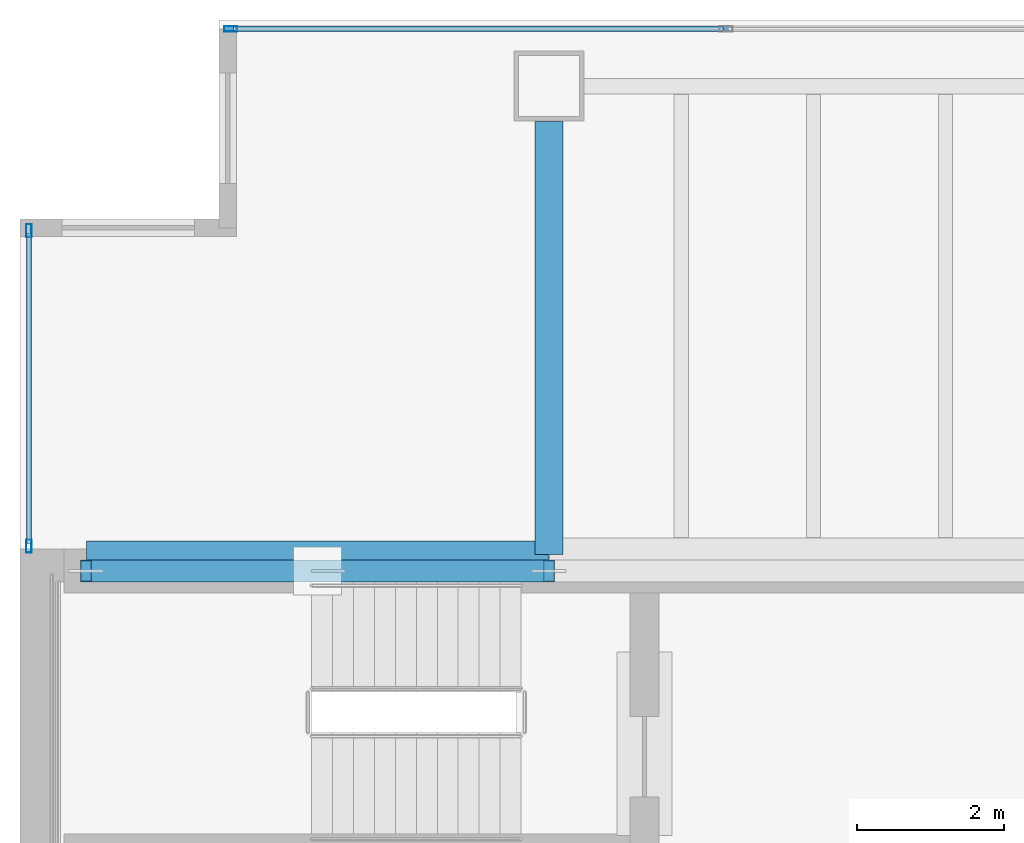
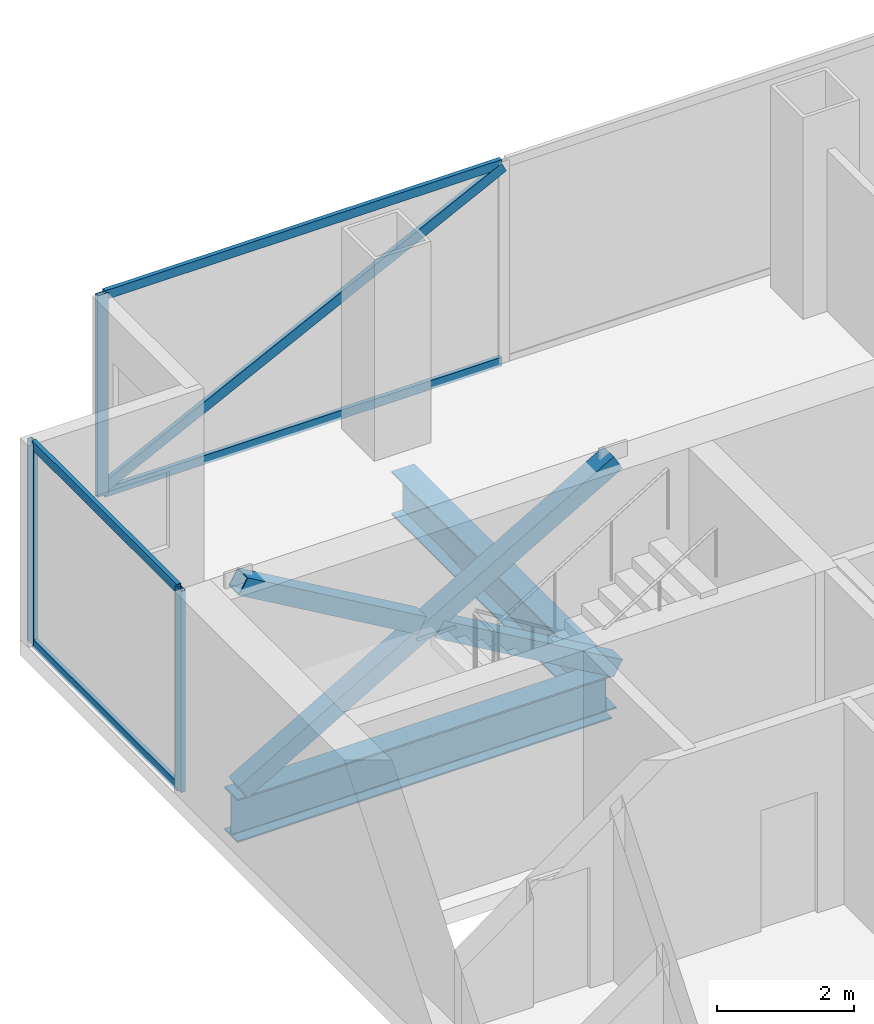
# One storey, part 16 of 23: 11 members, 2 beams, 2 elements without a shape of their own.
"""IFC4 building model written with IfcOpenShell, lengths in metres."""

from ifc_helpers import new_model, si_unit, direction, frame, origin, origin_2d, place, context, subcontext, project, spatial, hollow_rectangle, i_section, extrude, material, material_profile, profile_set, type_object, element, aggregate, save


model = new_model("IFC4")

# Units and contexts
model_context = context("Model", 3, precision=1e-05, world=origin(), true_north=direction((0.0, 1.0)))
body_context = subcontext(model_context, "Body", "Model", "MODEL_VIEW")
ifc_project = project(units=[si_unit("LENGTHUNIT", "METRE"), si_unit("AREAUNIT", "SQUARE_METRE"), si_unit("VOLUMEUNIT", "CUBIC_METRE"), si_unit("PLANEANGLEUNIT", "RADIAN"), si_unit("MASSUNIT", "GRAM", prefix="KILO")], contexts=[model_context])

# Site, building, storey
site_placement = place(None, origin())
site = spatial("IfcSite", under=ifc_project, at=site_placement, CompositionType="ELEMENT")
building_placement = place(site_placement, origin())
building = spatial("IfcBuilding", under=site, at=building_placement, Name="Cobrela Telecom Tower", CompositionType="ELEMENT")
storey_placement = place(building_placement, frame((0.0, 0.0, 113.75)))
storey = spatial("IfcBuildingStorey", under=building, at=storey_placement, Name="L28", CompositionType="ELEMENT", Elevation=113.75)

# Beams
ifc_material_1 = material(Name="Steel ASTM A992 Grade 50", Category="steel")
ifc_material_profile_1 = material_profile(ifc_material_1, i_section(OverallWidth=0.381103515625, OverallDepth=0.77197265625, WebThickness=0.0166015625, FlangeThickness=0.027099609375, FilletRadius=0.01904296875, at=origin_2d()), Name="W30X173")
ifc_profile_set_1 = profile_set([ifc_material_profile_1], Name="Steel ASTM A992 Grade 50")
beam_type = type_object("IfcBeamType", Name="BM-GIRD-04", PredefinedType="USERDEFINED", material=ifc_profile_set_1)
beam_1_placement = place(storey_placement, frame((0.905029296875, 35.919921875, -0.656005859375), z_axis=(1.0, 0.0, 0.0), x_axis=(0.0, 1.0, 0.0)))
element("IfcBeam", 1, at=beam_1_placement, inside=storey, type_object=beam_type, Name="L28 Primary Girder X25", ObjectType="GIRDER", PredefinedType="USERDEFINED", context=body_context, shape_type="SweptSolid", body=[
    extrude(i_section(OverallWidth=0.381103515625, OverallDepth=0.77197265625, WebThickness=0.0166015625, FlangeThickness=0.027099609375, FilletRadius=0.01904296875, at=origin_2d()), origin(), (0.0, 0.0, 1.0), 6.2900390625),
])
beam_2_placement = place(storey_placement, frame((7.199951171875, 35.925048828125, -0.656005859375), z_axis=(0.0, 1.0, 0.0), x_axis=(-1.0, 0.0, 0.0)))
element("IfcBeam", 2, at=beam_2_placement, inside=storey, type_object=beam_type, Name="L28 Primary Girder Y32", ObjectType="GIRDER", PredefinedType="USERDEFINED", context=body_context, shape_type="SweptSolid", body=[
    extrude(i_section(OverallWidth=0.381103515625, OverallDepth=0.77197265625, WebThickness=0.0166015625, FlangeThickness=0.027099609375, FilletRadius=0.01904296875, at=origin_2d()), origin(), (0.0, 0.0, 1.0), 5.89501953125),
])

# Curtain wall, members
ifc_material_2 = material(Name="Anodized Bronze Aluminium 6063-T6", Category="aluminium")
curtain_wall_type = type_object("IfcCurtainWallType", Name="CW-SYS-TEL", PredefinedType="USERDEFINED", material=ifc_material_2)
curtain_wall_1_placement = place(storey_placement, origin())
curtain_wall_1 = element("IfcCurtainWall", 3, at=curtain_wall_1_placement, inside=storey, type_object=curtain_wall_type, Name="L28 Unitised Bronze Curtain Wall 04", ObjectType="UNITISED CURTAIN WALL", PredefinedType="USERDEFINED")
ifc_material_profile_2 = material_profile(ifc_material_2, hollow_rectangle(XDim=0.074951171875, YDim=0.179931640625, WallThickness=0.00390625, at=origin_2d()), Name="ALU 75x180x4")
ifc_profile_set_2 = profile_set([ifc_material_profile_2], Name="Anodized Bronze Aluminium 6063-T6")
member_type_1 = type_object("IfcMemberType", Name="CW-SYS-TEL-MUL", PredefinedType="MULLION", material=ifc_profile_set_2)
member_1_placement = place(storey_placement, frame((0.1201171875, 36.03759765625, 0.0), z_axis=(0.0, 0.0, 1.0), x_axis=(-1.0, 0.0, 0.0)))
member_1 = element("IfcMember", 4, at=member_1_placement, type_object=member_type_1, Name="CW-TEL mullion 1", PredefinedType="MULLION", context=body_context, shape_type="SweptSolid", body=[
    extrude(hollow_rectangle(XDim=0.074951171875, YDim=0.179931640625, WallThickness=0.00390625, at=origin_2d()), origin(), (0.0, 0.0, 1.0), 3.580078125),
])
member_2_placement = place(storey_placement, frame((0.1201171875, 40.33251953125, 0.0), z_axis=(0.0, 0.0, 1.0), x_axis=(-1.0, 0.0, 0.0)))
member_2 = element("IfcMember", 5, at=member_2_placement, type_object=member_type_1, Name="CW-TEL mullion 2", PredefinedType="MULLION", context=body_context, shape_type="SweptSolid", body=[
    extrude(hollow_rectangle(XDim=0.074951171875, YDim=0.179931640625, WallThickness=0.00390625, at=origin_2d()), origin(), (0.0, 0.0, 1.0), 3.580078125),
])

curtain_wall_2_placement = place(storey_placement, origin())
curtain_wall_2 = element("IfcCurtainWall", 6, at=curtain_wall_2_placement, inside=storey, type_object=curtain_wall_type, Name="L28 Unitised Bronze Curtain Wall 07", ObjectType="UNITISED CURTAIN WALL", PredefinedType="USERDEFINED")
member_3_placement = place(storey_placement, frame((2.867431640625, 43.080078125, 0.0), z_axis=(0.0, 0.0, 1.0), x_axis=(0.0, 1.0, 0.0)))
member_3 = element("IfcMember", 7, at=member_3_placement, type_object=member_type_1, Name="CW-TEL mullion 1", PredefinedType="MULLION", context=body_context, shape_type="SweptSolid", body=[
    extrude(hollow_rectangle(XDim=0.074951171875, YDim=0.179931640625, WallThickness=0.00390625, at=origin_2d()), origin(), (0.0, 0.0, 1.0), 3.580078125),
])
member_4_placement = place(storey_placement, frame((2.830078125, 43.080078125, 0.10009765625), z_axis=(0.894961510607, 0.0, 0.446143356481), x_axis=(0.0, 1.0, 0.0)))
member_4 = element("IfcMember", 8, at=member_4_placement, type_object=member_type_1, Name="L28 Faceted Curtain Wall Diagonal Glazing Mullion", PredefinedType="MULLION", context=body_context, shape_type="SweptSolid", body=[
    extrude(hollow_rectangle(XDim=0.074951171875, YDim=0.179931640625, WallThickness=0.00390625, at=origin_2d()), origin(), (0.0, 0.0, 1.0), 7.57568359375),
])

# Member
ifc_material_profile_3 = material_profile(ifc_material_2, hollow_rectangle(XDim=0.070068359375, YDim=0.159912109375, WallThickness=0.00390625, at=origin_2d()), Name="ALU 70x160x4")
ifc_profile_set_3 = profile_set([ifc_material_profile_3], Name="Anodized Bronze Aluminium 6063-T6")
member_type_2 = type_object("IfcMemberType", Name="CW-SYS-TEL-TRN", PredefinedType="USERDEFINED", material=ifc_profile_set_3)
member_5_placement = place(storey_placement, frame((0.1201171875, 36.074951171875, 0.034912109375), z_axis=(0.0, 1.0, 0.0), x_axis=(-1.0, 0.0, 0.0)))
member_5 = element("IfcMember", 9, at=member_5_placement, type_object=member_type_2, Name="CW-TEL transom 1.1", ObjectType="TRANSOM", PredefinedType="USERDEFINED", context=body_context, shape_type="SweptSolid", body=[
    extrude(hollow_rectangle(XDim=0.070068359375, YDim=0.159912109375, WallThickness=0.00390625, at=origin_2d()), origin(), (0.0, 0.0, 1.0), 4.219970703125),
])

member_6_placement = place(storey_placement, frame((0.1201171875, 36.074951171875, 3.544921875), z_axis=(0.0, 1.0, 0.0), x_axis=(-1.0, 0.0, 0.0)))
member_6 = element("IfcMember", 10, at=member_6_placement, type_object=member_type_2, Name="CW-TEL transom 1.2", ObjectType="TRANSOM", PredefinedType="USERDEFINED", context=body_context, shape_type="SweptSolid", body=[
    extrude(hollow_rectangle(XDim=0.070068359375, YDim=0.159912109375, WallThickness=0.00390625, at=origin_2d()), origin(), (0.0, 0.0, 1.0), 4.219970703125),
])

aggregate(curtain_wall_1, [member_1, member_2, member_5, member_6])

member_7_placement = place(storey_placement, frame((2.905029296875, 43.080078125, 0.034912109375), z_axis=(1.0, 0.0, 0.0), x_axis=(0.0, 1.0, 0.0)))
member_7 = element("IfcMember", 11, at=member_7_placement, type_object=member_type_2, Name="CW-TEL transom 1.1", ObjectType="TRANSOM", PredefinedType="USERDEFINED", context=body_context, shape_type="SweptSolid", body=[
    extrude(hollow_rectangle(XDim=0.070068359375, YDim=0.159912109375, WallThickness=0.00390625, at=origin_2d()), origin(), (0.0, 0.0, 1.0), 6.66748046875),
])

member_8_placement = place(storey_placement, frame((2.905029296875, 43.080078125, 3.544921875), z_axis=(1.0, 0.0, 0.0), x_axis=(0.0, 1.0, 0.0)))
member_8 = element("IfcMember", 12, at=member_8_placement, type_object=member_type_2, Name="CW-TEL transom 1.2", ObjectType="TRANSOM", PredefinedType="USERDEFINED", context=body_context, shape_type="SweptSolid", body=[
    extrude(hollow_rectangle(XDim=0.070068359375, YDim=0.159912109375, WallThickness=0.00390625, at=origin_2d()), origin(), (0.0, 0.0, 1.0), 6.66748046875),
])

aggregate(curtain_wall_2, [member_3, member_7, member_8, member_4])

# Members
ifc_material_3 = material(Name="Steel ASTM A572 Grade 50", Category="steel")
ifc_material_profile_4 = material_profile(ifc_material_3, hollow_rectangle(XDim=0.300048828125, YDim=0.300048828125, WallThickness=0.01611328125, at=origin_2d()), Name="HSS 300x300x16")
ifc_profile_set_4 = profile_set([ifc_material_profile_4], Name="Steel ASTM A572 Grade 50")
member_type_3 = type_object("IfcMemberType", Name="MBR-EXO-03", PredefinedType="BRACE", material=ifc_profile_set_4)
member_9_placement = place(storey_placement, frame((0.89990234375, 35.699951171875, -0.0400390625), z_axis=(0.864665946149, 0.0, 0.502347291791), x_axis=(0.0, 1.0, 0.0)))
element("IfcMember", 13, at=member_9_placement, inside=storey, type_object=member_type_3, Name="L28 Core Flange Steel X-Brace Continuous A", PredefinedType="BRACE", context=body_context, shape_type="SweptSolid", body=[
    extrude(hollow_rectangle(XDim=0.300048828125, YDim=0.300048828125, WallThickness=0.01611328125, at=origin_2d()), origin(), (0.0, 0.0, 1.0), 7.2861328125),
])
member_10_placement = place(storey_placement, frame((7.199951171875, 35.699951171875, -0.0400390625), z_axis=(-0.864666885148, 0.0, 0.502345675535), x_axis=(0.0, -1.0, 0.0)))
element("IfcMember", 14, at=member_10_placement, inside=storey, type_object=member_type_3, Name="L28 Core Flange Steel X-Brace Split B1", PredefinedType="BRACE", context=body_context, shape_type="SweptSolid", body=[
    extrude(hollow_rectangle(XDim=0.300048828125, YDim=0.300048828125, WallThickness=0.01611328125, at=origin_2d()), origin(), (0.0, 0.0, 1.0), 3.474853515625),
])
member_11_placement = place(storey_placement, frame((3.90478515625, 35.699951171875, 1.87451171875), z_axis=(-0.864684613256, 0.0, 0.502315159634), x_axis=(0.0, -1.0, 0.0)))
element("IfcMember", 15, at=member_11_placement, inside=storey, type_object=member_type_3, Name="L28 Core Flange Steel X-Brace Split B2", PredefinedType="BRACE", context=body_context, shape_type="SweptSolid", body=[
    extrude(hollow_rectangle(XDim=0.300048828125, YDim=0.300048828125, WallThickness=0.01611328125, at=origin_2d()), origin(), (0.0, 0.0, 1.0), 3.47509765625),
])

save(model, "model.ifc")
